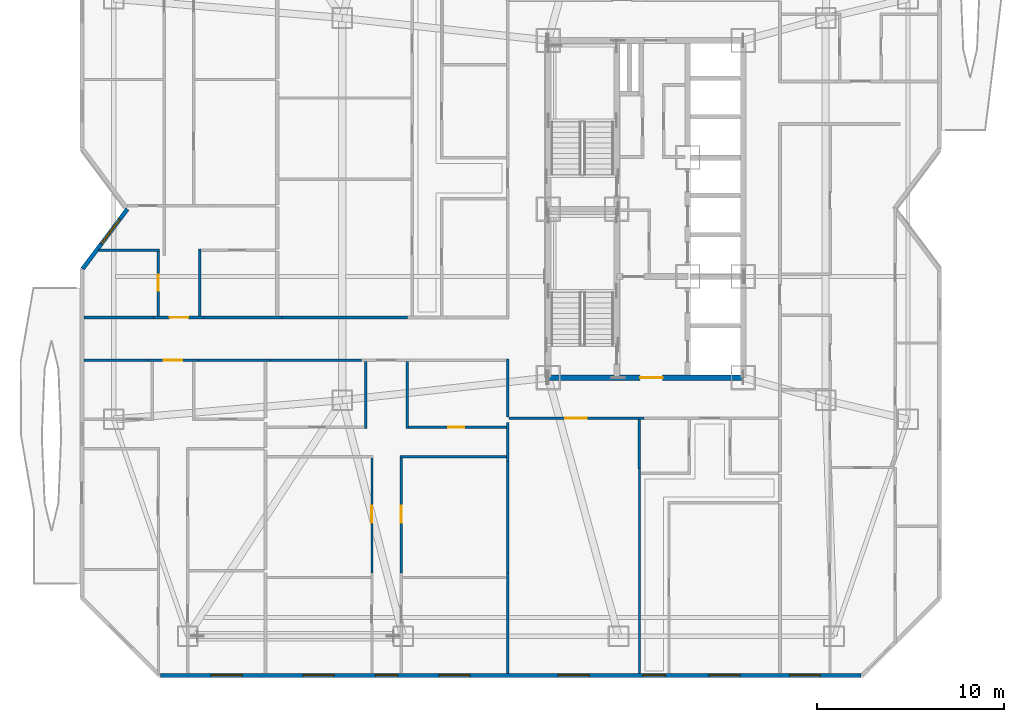
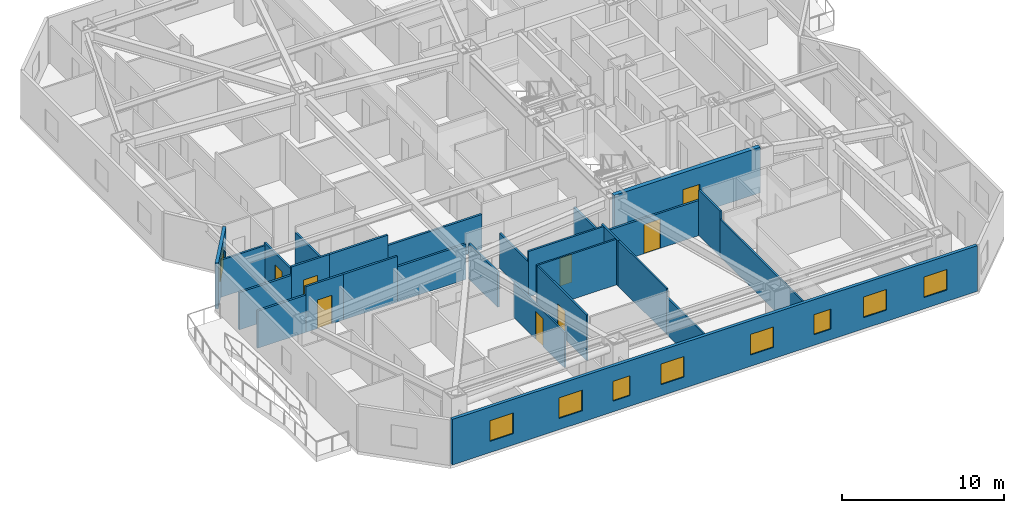
# One storey, part 8 of 17: 27 walls, 9 windows, 8 doors, 17 openings.
"""IFC4 building model written with IfcOpenShell, lengths in metres."""

from ifc_helpers import new_model, si_unit, direction, frame, frame_2d, origin, place, context, subcontext, project, spatial, rectangle, extrude, material, layer, layer_set, type_object, element, fill, save


model = new_model("IFC4")

# Units and contexts
model_context = context("Model", 3, precision=1e-05, world=origin(), true_north=direction((0.0, 1.0)))
body_context = subcontext(model_context, "Body", "Model", "MODEL_VIEW")
ifc_project = project(units=[si_unit("LENGTHUNIT", "METRE"), si_unit("AREAUNIT", "SQUARE_METRE"), si_unit("VOLUMEUNIT", "CUBIC_METRE"), si_unit("PLANEANGLEUNIT", "RADIAN"), si_unit("MASSUNIT", "GRAM", prefix="KILO")], contexts=[model_context])

# Site, building, storey
site_placement = place(None, origin())
site = spatial("IfcSite", under=ifc_project, at=site_placement, CompositionType="ELEMENT")
building_placement = place(site_placement, origin())
building = spatial("IfcBuilding", under=site, at=building_placement, Name="Khamvora Tower", CompositionType="ELEMENT")
storey_placement = place(building_placement, frame((0.0, 0.0, 44.25)))
storey = spatial("IfcBuildingStorey", under=building, at=storey_placement, Name="L10", CompositionType="ELEMENT", Elevation=44.25)

# Wall, opening, door
ifc_material_1 = material(Name="Concrete C50/60", Category="concrete")
ifc_layer_1 = layer(ifc_material_1, 0.300048828125)
ifc_layer_set_1 = layer_set([ifc_layer_1], Name="Concrete C50/60")
wall_type_1 = type_object("IfcWallType", Name="WAL-CORE-300", PredefinedType="SHEAR", material=ifc_layer_set_1)
wall_1_placement = place(storey_placement, frame((29.0, 19.0, 0.0), z_axis=(0.0, 0.0, 1.0), x_axis=(1.0, 0.0, 0.0)))
wall_1 = element("IfcWall", 1, at=wall_1_placement, inside=storey, type_object=wall_type_1, Name="L10 central core south wall", PredefinedType="SHEAR", context=body_context, shape_type="SweptSolid", body=[
    extrude(rectangle(XDim=10.39990234375, YDim=0.300048828125, at=frame_2d((5.199951171875, 0.0))), origin(), (0.0, 0.0, 1.0), 3.429931640625),
])
opening_1_placement = place(wall_1_placement, frame((4.89990234375, 0.0, 0.0)))
opening_1 = element("IfcOpeningElement", 2, at=opening_1_placement, cuts=wall_1, Name="Opening D-CR1", PredefinedType="OPENING", context=body_context, shape_type="SweptSolid", body=[
    extrude(rectangle(XDim=1.199951171875, YDim=2.14990234375, at=frame_2d((0.60009765625, 1.074951171875))), frame((0.0, 0.159912109375, 0.0), z_axis=(0.0, -1.0, 0.0), x_axis=(1.0, 0.0, 0.0)), (0.0, 0.0, 1.0), 0.320068359375),
])
ifc_material_2 = material(Name="Powder-Coated Steel and Hardwood Leaf", Category="steel")
door_type_1 = type_object("IfcDoorType", Name="DOR-CORR-1200", OperationType="NOTDEFINED", PredefinedType="DOOR", material=ifc_material_2)
door_1_placement = place(opening_1_placement, origin())
door_1 = element("IfcDoor", 3, at=door_1_placement, inside=storey, type_object=door_type_1, Name="L10 south core lobby to corridor fire door", OperationType="SINGLE_SWING_RIGHT", OverallHeight=2.14990234375, OverallWidth=1.199951171875, PredefinedType="DOOR", context=body_context, shape_type="SweptSolid", body=[
    extrude(rectangle(XDim=1.199951171875, YDim=2.14990234375, at=frame_2d((0.60009765625, 1.074951171875))), frame((0.0, 0.02490234375, 0.0), z_axis=(0.0, -1.0, 0.0), x_axis=(1.0, 0.0, 0.0)), (0.0, 0.0, 1.0), 0.050048828125),
])
fill(opening_1, door_1)

ifc_material_3 = material(Name="Fire-Rated Drywall and Steel Stud", Category="steel")
ifc_layer_2 = layer(ifc_material_3, 0.14990234375)
ifc_layer_set_2 = layer_set([ifc_layer_2], Name="Fire-Rated Drywall and Steel Stud")
wall_type_2 = type_object("IfcWallType", Name="WAL-CORR-150", PredefinedType="STANDARD", material=ifc_layer_set_2)
wall_2_placement = place(storey_placement, frame((34.114013671875, 16.8349609375, 0.0), z_axis=(0.0, 0.0, 1.0), x_axis=(-1.0, 0.0, 0.0)))
wall_2 = element("IfcWall", 4, at=wall_2_placement, inside=storey, type_object=wall_type_2, Name="L10 interior partition wall 008", PredefinedType="STANDARD", context=body_context, shape_type="SweptSolid", body=[
    extrude(rectangle(XDim=7.214111328125, YDim=0.14990234375, at=frame_2d((3.60693359375, 0.0))), origin(), (0.0, 0.0, 1.0), 2.64697265625),
])
opening_2_placement = place(wall_2_placement, frame((3.052978515625, 0.0, 0.0)))
opening_2 = element("IfcOpeningElement", 5, at=opening_2_placement, cuts=wall_2, Name="Opening D-SC1", PredefinedType="OPENING", context=body_context, shape_type="SweptSolid", body=[
    extrude(rectangle(XDim=1.14990234375, YDim=2.199951171875, at=frame_2d((0.574951171875, 1.10009765625))), frame((0.0, 0.0849609375, 0.0), z_axis=(0.0, -1.0, 0.0), x_axis=(1.0, 0.0, 0.0)), (0.0, 0.0, 1.0), 0.169921875),
])
door_type_2 = type_object("IfcDoorType", Name="DOR-SCHL-1150", OperationType="NOTDEFINED", PredefinedType="DOOR", material=ifc_material_2)
door_2_placement = place(opening_2_placement, origin())
door_2 = element("IfcDoor", 6, at=door_2_placement, inside=storey, type_object=door_type_2, Name="L10 interior door COR-RLIB", OperationType="SINGLE_SWING_LEFT", OverallHeight=2.199951171875, OverallWidth=1.14990234375, PredefinedType="DOOR", context=body_context, shape_type="SweptSolid", body=[
    extrude(rectangle(XDim=1.14990234375, YDim=2.199951171875, at=frame_2d((0.574951171875, 1.10009765625))), frame((0.0, 0.02490234375, 0.0), z_axis=(0.0, -1.0, 0.0), x_axis=(1.0, 0.0, 0.0)), (0.0, 0.0, 1.0), 0.050048828125),
])
fill(opening_2, door_2)

wall_3_placement = place(storey_placement, frame((10.323974609375, 19.93505859375, 0.0), z_axis=(0.0, 0.0, 1.0), x_axis=(-1.0, 0.0, 0.0)))
wall_3 = element("IfcWall", 7, at=wall_3_placement, inside=storey, type_object=wall_type_2, Name="L10 interior partition wall 009", PredefinedType="STANDARD", context=body_context, shape_type="SweptSolid", body=[
    extrude(rectangle(XDim=2.697998046875, YDim=0.14990234375, at=frame_2d((1.34912109375, 0.0))), origin(), (0.0, 0.0, 1.0), 3.429931640625),
])
opening_3_placement = place(wall_3_placement, frame((0.84912109375, 0.0, 0.0)))
opening_3 = element("IfcOpeningElement", 8, at=opening_3_placement, cuts=wall_3, Name="Opening D-U1", PredefinedType="OPENING", context=body_context, shape_type="SweptSolid", body=[
    extrude(rectangle(XDim=1.0, YDim=2.14990234375, at=frame_2d((0.5, 1.074951171875))), frame((0.0, 0.0849609375, 0.0), z_axis=(0.0, -1.0, 0.0), x_axis=(1.0, 0.0, 0.0)), (0.0, 0.0, 1.0), 0.169921875),
])
door_type_3 = type_object("IfcDoorType", Name="DOR-UNIT-1000", OperationType="NOTDEFINED", PredefinedType="DOOR", material=ifc_material_2)
door_3_placement = place(opening_3_placement, origin())
door_3 = element("IfcDoor", 9, at=door_3_placement, inside=storey, type_object=door_type_3, Name="L10 interior door COR-10WAH", OperationType="SINGLE_SWING_RIGHT", OverallHeight=2.14990234375, OverallWidth=1.0, PredefinedType="DOOR", context=body_context, shape_type="SweptSolid", body=[
    extrude(rectangle(XDim=1.0, YDim=2.14990234375, at=frame_2d((0.5, 1.074951171875))), frame((0.0, 0.02490234375, 0.0), z_axis=(0.0, -1.0, 0.0), x_axis=(1.0, 0.0, 0.0)), (0.0, 0.0, 1.0), 0.050048828125),
])
fill(opening_3, door_3)

# Walls
wall_4_placement = place(storey_placement, frame((7.6259765625, 19.93505859375, 0.0), z_axis=(0.0, 0.0, 1.0), x_axis=(-1.0, 0.0, 0.0)))
element("IfcWall", 10, at=wall_4_placement, inside=storey, type_object=wall_type_2, Name="L10 interior partition wall 010", PredefinedType="STANDARD", context=body_context, shape_type="SweptSolid", body=[
    extrude(rectangle(XDim=3.4140625, YDim=0.14990234375, at=frame_2d((1.70703125, 0.0))), origin(), (0.0, 0.0, 1.0), 2.802978515625),
])
wall_5_placement = place(storey_placement, frame((14.154052734375, 19.93505859375, 0.0), z_axis=(0.0, 0.0, 1.0), x_axis=(-1.0, 0.0, 0.0)))
element("IfcWall", 11, at=wall_5_placement, inside=storey, type_object=wall_type_2, Name="L10 interior partition wall 011", PredefinedType="STANDARD", context=body_context, shape_type="SweptSolid", body=[
    extrude(rectangle(XDim=3.830078125, YDim=0.14990234375, at=frame_2d((1.9150390625, 0.0))), origin(), (0.0, 0.0, 1.0), 3.429931640625),
])
wall_6_placement = place(storey_placement, frame((26.8349609375, 16.89990234375, 0.0), z_axis=(0.0, 0.0, 1.0), x_axis=(0.0, 1.0, 0.0)))
element("IfcWall", 12, at=wall_6_placement, inside=storey, type_object=wall_type_2, Name="L10 interior partition wall 013", PredefinedType="STANDARD", context=body_context, shape_type="SweptSolid", body=[
    extrude(rectangle(XDim=3.10009765625, YDim=0.14990234375, at=frame_2d((1.550048828125, 0.0))), origin(), (0.0, 0.0, 1.0), 2.64697265625),
])
wall_7_placement = place(storey_placement, frame((19.02099609375, 19.93505859375, 0.0), z_axis=(0.0, 0.0, 1.0), x_axis=(-1.0, 0.0, 0.0)))
element("IfcWall", 13, at=wall_7_placement, inside=storey, type_object=wall_type_2, Name="L10 interior partition wall 015", PredefinedType="STANDARD", context=body_context, shape_type="SweptSolid", body=[
    extrude(rectangle(XDim=4.866943359375, YDim=0.14990234375, at=frame_2d((2.43359375, 0.0))), origin(), (0.0, 0.0, 1.0), 2.64697265625),
])

# Wall, opening, door
wall_8_placement = place(storey_placement, frame((7.93994140625, 22.215087890625, 0.0), z_axis=(0.0, 0.0, 1.0), x_axis=(1.0, 0.0, 0.0)))
wall_8 = element("IfcWall", 14, at=wall_8_placement, inside=storey, type_object=wall_type_2, Name="L10 interior partition wall 016", PredefinedType="STANDARD", context=body_context, shape_type="SweptSolid", body=[
    extrude(rectangle(XDim=2.697998046875, YDim=0.14990234375, at=frame_2d((1.34912109375, 0.0))), origin(), (0.0, 0.0, 1.0), 3.429931640625),
])
opening_4_placement = place(wall_8_placement, frame((0.84912109375, 0.0, 0.0)))
opening_4 = element("IfcOpeningElement", 15, at=opening_4_placement, cuts=wall_8, Name="Opening D-U1", PredefinedType="OPENING", context=body_context, shape_type="SweptSolid", body=[
    extrude(rectangle(XDim=1.0, YDim=2.14990234375, at=frame_2d((0.5, 1.074951171875))), frame((0.0, 0.0849609375, 0.0), z_axis=(0.0, -1.0, 0.0), x_axis=(1.0, 0.0, 0.0)), (0.0, 0.0, 1.0), 0.169921875),
])
door_4_placement = place(opening_4_placement, origin())
door_4 = element("IfcDoor", 16, at=door_4_placement, inside=storey, type_object=door_type_3, Name="L10 interior door COR-10WC1H", OperationType="SINGLE_SWING_RIGHT", OverallHeight=2.14990234375, OverallWidth=1.0, PredefinedType="DOOR", context=body_context, shape_type="SweptSolid", body=[
    extrude(rectangle(XDim=1.0, YDim=2.14990234375, at=frame_2d((0.5, 1.074951171875))), frame((0.0, 0.02490234375, 0.0), z_axis=(0.0, -1.0, 0.0), x_axis=(1.0, 0.0, 0.0)), (0.0, 0.0, 1.0), 0.050048828125),
])
fill(opening_4, door_4)

# Walls
wall_9_placement = place(storey_placement, frame((4.2119140625, 22.215087890625, 0.0), z_axis=(0.0, 0.0, 1.0), x_axis=(1.0, 0.0, 0.0)))
element("IfcWall", 17, at=wall_9_placement, inside=storey, type_object=wall_type_2, Name="L10 interior partition wall 017", PredefinedType="STANDARD", context=body_context, shape_type="SweptSolid", body=[
    extrude(rectangle(XDim=3.72802734375, YDim=0.14990234375, at=frame_2d((1.864013671875, 0.0))), origin(), (0.0, 0.0, 1.0), 2.802978515625),
])
wall_10_placement = place(storey_placement, frame((10.637939453125, 22.215087890625, 0.0), z_axis=(0.0, 0.0, 1.0), x_axis=(1.0, 0.0, 0.0)))
element("IfcWall", 18, at=wall_10_placement, inside=storey, type_object=wall_type_2, Name="L10 interior partition wall 018", PredefinedType="STANDARD", context=body_context, shape_type="SweptSolid", body=[
    extrude(rectangle(XDim=4.14501953125, YDim=0.14990234375, at=frame_2d((2.072509765625, 0.0))), origin(), (0.0, 0.0, 1.0), 3.429931640625),
])
wall_11_placement = place(storey_placement, frame((14.782958984375, 22.215087890625, 0.0), z_axis=(0.0, 0.0, 1.0), x_axis=(1.0, 0.0, 0.0)))
element("IfcWall", 19, at=wall_11_placement, inside=storey, type_object=wall_type_2, Name="L10 interior partition wall 025", PredefinedType="STANDARD", context=body_context, shape_type="SweptSolid", body=[
    extrude(rectangle(XDim=6.712158203125, YDim=0.14990234375, at=frame_2d((3.35595703125, 0.0))), origin(), (0.0, 0.0, 1.0), 2.64697265625),
])

# Wall, opening, window
ifc_material_4 = material(Name="Precast concrete C40/50", Category="concrete")
ifc_layer_3 = layer(ifc_material_4, 0.219970703125)
ifc_layer_set_3 = layer_set([ifc_layer_3], Name="Precast concrete C40/50")
wall_type_3 = type_object("IfcWallType", Name="WAL-EXT-220", PredefinedType="STANDARD", material=ifc_layer_set_3)
wall_12_placement = place(storey_placement, frame((4.14501953125, 24.80908203125, 0.0), z_axis=(0.0, 0.0, 1.0), x_axis=(0.599823674734, 0.800132213592, 0.0)))
wall_12 = element("IfcWall", 20, at=wall_12_placement, inside=storey, type_object=wall_type_3, Name="L10 exterior facade wall 03.1", PredefinedType="STANDARD", context=body_context, shape_type="SweptSolid", body=[
    extrude(rectangle(XDim=3.988037109375, YDim=0.219970703125, at=frame_2d((1.994140625, 0.0))), origin(), (0.0, 0.0, 1.0), 3.429931640625),
])
opening_5_placement = place(wall_12_placement, frame((1.65087890625, 0.0, 0.85009765625)))
opening_5 = element("IfcOpeningElement", 21, at=opening_5_placement, cuts=wall_12, Name="Opening WN-06", PredefinedType="OPENING", context=body_context, shape_type="SweptSolid", body=[
    extrude(rectangle(XDim=1.64990234375, YDim=1.550048828125, at=frame_2d((0.824951171875, 0.77490234375))), frame((0.0, 0.119873046875, 0.0), z_axis=(0.0, -1.0, 0.0), x_axis=(1.0, 0.0, 0.0)), (0.0, 0.0, 1.0), 0.239990234375),
])
ifc_material_5 = material(Name="Low-E Laminated Double Glazing", Category="glass")
window_type_1 = type_object("IfcWindowType", Name="WIN-VIS-1650x1550", PartitioningType="SINGLE_PANEL", PredefinedType="WINDOW", material=ifc_material_5)
window_1_placement = place(opening_5_placement, origin())
window_1 = element("IfcWindow", 22, at=window_1_placement, inside=storey, type_object=window_type_1, Name="L10 vision window 03.1.01", OverallHeight=1.550048828125, OverallWidth=1.64990234375, PartitioningType="SINGLE_PANEL", PredefinedType="WINDOW", context=body_context, shape_type="SweptSolid", body=[
    extrude(rectangle(XDim=1.64990234375, YDim=1.550048828125, at=frame_2d((0.824951171875, 0.77490234375))), frame((0.0, 0.030029296875, 0.0), z_axis=(0.0, -1.0, 0.0), x_axis=(1.0, 0.0, 0.0)), (0.0, 0.0, 1.0), 0.06005859375),
])
fill(opening_5, window_1)

# Wall, openings, windows
wall_13_placement = place(storey_placement, frame((45.68310546875, 3.110107421875, 0.0), z_axis=(0.0, 0.0, 1.0), x_axis=(-1.0, 0.0, 0.0)))
wall_13 = element("IfcWall", 23, at=wall_13_placement, inside=storey, type_object=wall_type_3, Name="L10 exterior facade wall 14.1", PredefinedType="STANDARD", context=body_context, shape_type="SweptSolid", body=[
    extrude(rectangle(XDim=37.3681640625, YDim=0.219970703125, at=frame_2d((18.68408203125, 0.0))), origin(), (0.0, 0.0, 1.0), 3.429931640625),
])
opening_6_placement = place(wall_13_placement, frame((14.508056640625, 0.0, 0.85009765625)))
opening_6 = element("IfcOpeningElement", 24, at=opening_6_placement, cuts=wall_13, Name="Opening WN-06", PredefinedType="OPENING", context=body_context, shape_type="SweptSolid", body=[
    extrude(rectangle(XDim=1.64990234375, YDim=1.550048828125, at=frame_2d((0.824951171875, 0.77490234375))), frame((0.0, 0.119873046875, 0.0), z_axis=(0.0, -1.0, 0.0), x_axis=(1.0, 0.0, 0.0)), (0.0, 0.0, 1.0), 0.239990234375),
])
opening_7_placement = place(wall_13_placement, frame((33.02490234375, 0.0, 0.85009765625)))
opening_7 = element("IfcOpeningElement", 25, at=opening_7_placement, cuts=wall_13, Name="Opening WN-06", PredefinedType="OPENING", context=body_context, shape_type="SweptSolid", body=[
    extrude(rectangle(XDim=1.64990234375, YDim=1.550048828125, at=frame_2d((0.824951171875, 0.77490234375))), frame((0.0, 0.119873046875, 0.0), z_axis=(0.0, -1.0, 0.0), x_axis=(1.0, 0.0, 0.0)), (0.0, 0.0, 1.0), 0.239990234375),
])
opening_8_placement = place(wall_13_placement, frame((24.712890625, 0.0, 0.800048828125)))
opening_8 = element("IfcOpeningElement", 26, at=opening_8_placement, cuts=wall_13, Name="Opening WN-03", PredefinedType="OPENING", context=body_context, shape_type="SweptSolid", body=[
    extrude(rectangle(XDim=1.199951171875, YDim=1.5, at=frame_2d((0.60009765625, 0.75))), frame((0.0, 0.119873046875, 0.0), z_axis=(0.0, -1.0, 0.0), x_axis=(1.0, 0.0, 0.0)), (0.0, 0.0, 1.0), 0.239990234375),
])
opening_9_placement = place(wall_13_placement, frame((28.113037109375, 0.0, 0.85009765625)))
opening_9 = element("IfcOpeningElement", 27, at=opening_9_placement, cuts=wall_13, Name="Opening WN-06", PredefinedType="OPENING", context=body_context, shape_type="SweptSolid", body=[
    extrude(rectangle(XDim=1.64990234375, YDim=1.550048828125, at=frame_2d((0.824951171875, 0.77490234375))), frame((0.0, 0.119873046875, 0.0), z_axis=(0.0, -1.0, 0.0), x_axis=(1.0, 0.0, 0.0)), (0.0, 0.0, 1.0), 0.239990234375),
])
opening_10_placement = place(wall_13_placement, frame((20.863037109375, 0.0, 0.85009765625)))
opening_10 = element("IfcOpeningElement", 28, at=opening_10_placement, cuts=wall_13, Name="Opening WN-06", PredefinedType="OPENING", context=body_context, shape_type="SweptSolid", body=[
    extrude(rectangle(XDim=1.64990234375, YDim=1.550048828125, at=frame_2d((0.824951171875, 0.77490234375))), frame((0.0, 0.119873046875, 0.0), z_axis=(0.0, -1.0, 0.0), x_axis=(1.0, 0.0, 0.0)), (0.0, 0.0, 1.0), 0.239990234375),
])
opening_11_placement = place(wall_13_placement, frame((10.427978515625, 0.0, 0.800048828125)))
opening_11 = element("IfcOpeningElement", 29, at=opening_11_placement, cuts=wall_13, Name="Opening WN-03", PredefinedType="OPENING", context=body_context, shape_type="SweptSolid", body=[
    extrude(rectangle(XDim=1.199951171875, YDim=1.5, at=frame_2d((0.60009765625, 0.75))), frame((0.0, 0.119873046875, 0.0), z_axis=(0.0, -1.0, 0.0), x_axis=(1.0, 0.0, 0.0)), (0.0, 0.0, 1.0), 0.239990234375),
])
opening_12_placement = place(wall_13_placement, frame((6.452880859375, 0.0, 0.85009765625)))
opening_12 = element("IfcOpeningElement", 30, at=opening_12_placement, cuts=wall_13, Name="Opening WN-06", PredefinedType="OPENING", context=body_context, shape_type="SweptSolid", body=[
    extrude(rectangle(XDim=1.64990234375, YDim=1.550048828125, at=frame_2d((0.824951171875, 0.77490234375))), frame((0.0, 0.119873046875, 0.0), z_axis=(0.0, -1.0, 0.0), x_axis=(1.0, 0.0, 0.0)), (0.0, 0.0, 1.0), 0.239990234375),
])
opening_13_placement = place(wall_13_placement, frame((2.156982421875, 0.0, 0.85009765625)))
opening_13 = element("IfcOpeningElement", 31, at=opening_13_placement, cuts=wall_13, Name="Opening WN-06", PredefinedType="OPENING", context=body_context, shape_type="SweptSolid", body=[
    extrude(rectangle(XDim=1.64990234375, YDim=1.550048828125, at=frame_2d((0.824951171875, 0.77490234375))), frame((0.0, 0.119873046875, 0.0), z_axis=(0.0, -1.0, 0.0), x_axis=(1.0, 0.0, 0.0)), (0.0, 0.0, 1.0), 0.239990234375),
])
window_type_2 = type_object("IfcWindowType", Name="WIN-VIS-1200x1500", PartitioningType="SINGLE_PANEL", PredefinedType="WINDOW", material=ifc_material_5)
window_2_placement = place(opening_8_placement, origin())
window_2 = element("IfcWindow", 32, at=window_2_placement, inside=storey, type_object=window_type_2, Name="L10 vision window 14.1.03", OverallHeight=1.5, OverallWidth=1.199951171875, PartitioningType="SINGLE_PANEL", PredefinedType="WINDOW", context=body_context, shape_type="SweptSolid", body=[
    extrude(rectangle(XDim=1.199951171875, YDim=1.5, at=frame_2d((0.60009765625, 0.75))), frame((0.0, 0.030029296875, 0.0), z_axis=(0.0, -1.0, 0.0), x_axis=(1.0, 0.0, 0.0)), (0.0, 0.0, 1.0), 0.06005859375),
])
fill(opening_8, window_2)
window_3_placement = place(opening_11_placement, origin())
window_3 = element("IfcWindow", 33, at=window_3_placement, inside=storey, type_object=window_type_2, Name="L10 vision window 14.1.06", OverallHeight=1.5, OverallWidth=1.199951171875, PartitioningType="SINGLE_PANEL", PredefinedType="WINDOW", context=body_context, shape_type="SweptSolid", body=[
    extrude(rectangle(XDim=1.199951171875, YDim=1.5, at=frame_2d((0.60009765625, 0.75))), frame((0.0, 0.030029296875, 0.0), z_axis=(0.0, -1.0, 0.0), x_axis=(1.0, 0.0, 0.0)), (0.0, 0.0, 1.0), 0.06005859375),
])
fill(opening_11, window_3)
window_4_placement = place(opening_6_placement, origin())
window_4 = element("IfcWindow", 34, at=window_4_placement, inside=storey, type_object=window_type_1, Name="L10 vision window 14.1.01", OverallHeight=1.550048828125, OverallWidth=1.64990234375, PartitioningType="SINGLE_PANEL", PredefinedType="WINDOW", context=body_context, shape_type="SweptSolid", body=[
    extrude(rectangle(XDim=1.64990234375, YDim=1.550048828125, at=frame_2d((0.824951171875, 0.77490234375))), frame((0.0, 0.030029296875, 0.0), z_axis=(0.0, -1.0, 0.0), x_axis=(1.0, 0.0, 0.0)), (0.0, 0.0, 1.0), 0.06005859375),
])
fill(opening_6, window_4)
window_5_placement = place(opening_7_placement, origin())
window_5 = element("IfcWindow", 35, at=window_5_placement, inside=storey, type_object=window_type_1, Name="L10 vision window 14.1.02", OverallHeight=1.550048828125, OverallWidth=1.64990234375, PartitioningType="SINGLE_PANEL", PredefinedType="WINDOW", context=body_context, shape_type="SweptSolid", body=[
    extrude(rectangle(XDim=1.64990234375, YDim=1.550048828125, at=frame_2d((0.824951171875, 0.77490234375))), frame((0.0, 0.030029296875, 0.0), z_axis=(0.0, -1.0, 0.0), x_axis=(1.0, 0.0, 0.0)), (0.0, 0.0, 1.0), 0.06005859375),
])
fill(opening_7, window_5)
window_6_placement = place(opening_9_placement, origin())
window_6 = element("IfcWindow", 36, at=window_6_placement, inside=storey, type_object=window_type_1, Name="L10 vision window 14.1.04", OverallHeight=1.550048828125, OverallWidth=1.64990234375, PartitioningType="SINGLE_PANEL", PredefinedType="WINDOW", context=body_context, shape_type="SweptSolid", body=[
    extrude(rectangle(XDim=1.64990234375, YDim=1.550048828125, at=frame_2d((0.824951171875, 0.77490234375))), frame((0.0, 0.030029296875, 0.0), z_axis=(0.0, -1.0, 0.0), x_axis=(1.0, 0.0, 0.0)), (0.0, 0.0, 1.0), 0.06005859375),
])
fill(opening_9, window_6)
window_7_placement = place(opening_10_placement, origin())
window_7 = element("IfcWindow", 37, at=window_7_placement, inside=storey, type_object=window_type_1, Name="L10 vision window 14.1.05", OverallHeight=1.550048828125, OverallWidth=1.64990234375, PartitioningType="SINGLE_PANEL", PredefinedType="WINDOW", context=body_context, shape_type="SweptSolid", body=[
    extrude(rectangle(XDim=1.64990234375, YDim=1.550048828125, at=frame_2d((0.824951171875, 0.77490234375))), frame((0.0, 0.030029296875, 0.0), z_axis=(0.0, -1.0, 0.0), x_axis=(1.0, 0.0, 0.0)), (0.0, 0.0, 1.0), 0.06005859375),
])
fill(opening_10, window_7)
window_8_placement = place(opening_12_placement, origin())
window_8 = element("IfcWindow", 38, at=window_8_placement, inside=storey, type_object=window_type_1, Name="L10 vision window 14.1.07", OverallHeight=1.550048828125, OverallWidth=1.64990234375, PartitioningType="SINGLE_PANEL", PredefinedType="WINDOW", context=body_context, shape_type="SweptSolid", body=[
    extrude(rectangle(XDim=1.64990234375, YDim=1.550048828125, at=frame_2d((0.824951171875, 0.77490234375))), frame((0.0, 0.030029296875, 0.0), z_axis=(0.0, -1.0, 0.0), x_axis=(1.0, 0.0, 0.0)), (0.0, 0.0, 1.0), 0.06005859375),
])
fill(opening_12, window_8)
window_9_placement = place(opening_13_placement, origin())
window_9 = element("IfcWindow", 39, at=window_9_placement, inside=storey, type_object=window_type_1, Name="L10 vision window 14.1.08", OverallHeight=1.550048828125, OverallWidth=1.64990234375, PartitioningType="SINGLE_PANEL", PredefinedType="WINDOW", context=body_context, shape_type="SweptSolid", body=[
    extrude(rectangle(XDim=1.64990234375, YDim=1.550048828125, at=frame_2d((0.824951171875, 0.77490234375))), frame((0.0, 0.030029296875, 0.0), z_axis=(0.0, -1.0, 0.0), x_axis=(1.0, 0.0, 0.0)), (0.0, 0.0, 1.0), 0.06005859375),
])
fill(opening_13, window_9)

# Walls
ifc_material_6 = material(Name="Gypsum Plasterboard Partition", Category="gypsum")
ifc_layer_4 = layer(ifc_material_6, 0.1201171875)
ifc_layer_set_4 = layer_set([ifc_layer_4], Name="Gypsum Plasterboard Partition")
wall_type_4 = type_object("IfcWallType", Name="WAL-PART-120", PredefinedType="PARTITIONING", material=ifc_layer_set_4)
wall_14_placement = place(storey_placement, frame((26.8349609375, 14.52587890625, 0.0), z_axis=(0.0, 0.0, 1.0), x_axis=(0.0, 1.0, 0.0)))
element("IfcWall", 40, at=wall_14_placement, inside=storey, type_object=wall_type_4, Name="L10 interior partition wall 043", PredefinedType="PARTITIONING", context=body_context, shape_type="SweptSolid", body=[
    extrude(rectangle(XDim=2.078125, YDim=0.1201171875, at=frame_2d((1.0390625, 0.0))), origin(), (0.0, 0.0, 1.0), 3.429931640625),
])
wall_15_placement = place(storey_placement, frame((26.8349609375, 3.2119140625, 0.0), z_axis=(0.0, 0.0, 1.0), x_axis=(0.0, 1.0, 0.0)))
element("IfcWall", 41, at=wall_15_placement, inside=storey, type_object=wall_type_4, Name="L10 interior partition wall 044", PredefinedType="PARTITIONING", context=body_context, shape_type="SweptSolid", body=[
    extrude(rectangle(XDim=5.3720703125, YDim=0.1201171875, at=frame_2d((2.68603515625, 0.0))), origin(), (0.0, 0.0, 1.0), 2.802978515625),
])
wall_16_placement = place(storey_placement, frame((26.8349609375, 8.583984375, 0.0), z_axis=(0.0, 0.0, 1.0), x_axis=(0.0, 1.0, 0.0)))
element("IfcWall", 42, at=wall_16_placement, inside=storey, type_object=wall_type_4, Name="L10 interior partition wall 045", PredefinedType="PARTITIONING", context=body_context, shape_type="SweptSolid", body=[
    extrude(rectangle(XDim=5.94189453125, YDim=0.1201171875, at=frame_2d((2.970947265625, 0.0))), origin(), (0.0, 0.0, 1.0), 3.429931640625),
])
wall_17_placement = place(storey_placement, frame((33.864990234375, 14.155029296875, 0.0), z_axis=(0.0, 0.0, 1.0), x_axis=(0.0, -1.0, 0.0)))
element("IfcWall", 43, at=wall_17_placement, inside=storey, type_object=wall_type_4, Name="L10 interior partition wall 046", PredefinedType="PARTITIONING", context=body_context, shape_type="SweptSolid", body=[
    extrude(rectangle(XDim=10.943115234375, YDim=0.1201171875, at=frame_2d((5.4716796875, 0.0))), origin(), (0.0, 0.0, 1.0), 2.802978515625),
])

# Wall, opening, door
wall_18_placement = place(storey_placement, frame((19.5849609375, 8.583984375, 0.0), z_axis=(0.0, 0.0, 1.0), x_axis=(0.0, 1.0, 0.0)))
wall_18 = element("IfcWall", 44, at=wall_18_placement, inside=storey, type_object=wall_type_4, Name="L10 interior partition wall 070", PredefinedType="PARTITIONING", context=body_context, shape_type="SweptSolid", body=[
    extrude(rectangle(XDim=6.256103515625, YDim=0.1201171875, at=frame_2d((3.1279296875, 0.0))), origin(), (0.0, 0.0, 1.0), 2.64697265625),
])
opening_14_placement = place(wall_18_placement, frame((2.677978515625, 0.0, 0.0)))
opening_14 = element("IfcOpeningElement", 45, at=opening_14_placement, cuts=wall_18, Name="Opening D-RM1", PredefinedType="OPENING", context=body_context, shape_type="SweptSolid", body=[
    extrude(rectangle(XDim=0.89990234375, YDim=2.10009765625, at=frame_2d((0.449951171875, 1.050048828125))), frame((0.0, 0.070068359375, 0.0), z_axis=(0.0, -1.0, 0.0), x_axis=(1.0, 0.0, 0.0)), (0.0, 0.0, 1.0), 0.14013671875),
])
door_type_4 = type_object("IfcDoorType", Name="DOR-ROOM-900", OperationType="NOTDEFINED", PredefinedType="DOOR", material=ifc_material_2)
door_5_placement = place(opening_14_placement, origin())
door_5 = element("IfcDoor", 46, at=door_5_placement, inside=storey, type_object=door_type_4, Name="L10 interior door 10WBH-10WBR2", OperationType="SINGLE_SWING_RIGHT", OverallHeight=2.10009765625, OverallWidth=0.89990234375, PredefinedType="DOOR", context=body_context, shape_type="SweptSolid", body=[
    extrude(rectangle(XDim=0.89990234375, YDim=2.10009765625, at=frame_2d((0.449951171875, 1.050048828125))), frame((0.0, 0.02490234375, 0.0), z_axis=(0.0, -1.0, 0.0), x_axis=(1.0, 0.0, 0.0)), (0.0, 0.0, 1.0), 0.050048828125),
])
fill(opening_14, door_5)

wall_19_placement = place(storey_placement, frame((21.155029296875, 14.840087890625, 0.0), z_axis=(0.0, 0.0, 1.0), x_axis=(0.0, -1.0, 0.0)))
wall_19 = element("IfcWall", 47, at=wall_19_placement, inside=storey, type_object=wall_type_4, Name="L10 interior partition wall 073", PredefinedType="PARTITIONING", context=body_context, shape_type="SweptSolid", body=[
    extrude(rectangle(XDim=6.256103515625, YDim=0.1201171875, at=frame_2d((3.1279296875, 0.0))), origin(), (0.0, 0.0, 1.0), 3.429931640625),
])
opening_15_placement = place(wall_19_placement, frame((2.677978515625, 0.0, 0.0)))
opening_15 = element("IfcOpeningElement", 48, at=opening_15_placement, cuts=wall_19, Name="Opening D-RM1", PredefinedType="OPENING", context=body_context, shape_type="SweptSolid", body=[
    extrude(rectangle(XDim=0.89990234375, YDim=2.10009765625, at=frame_2d((0.449951171875, 1.050048828125))), frame((0.0, 0.070068359375, 0.0), z_axis=(0.0, -1.0, 0.0), x_axis=(1.0, 0.0, 0.0)), (0.0, 0.0, 1.0), 0.14013671875),
])
door_6_placement = place(opening_15_placement, origin())
door_6 = element("IfcDoor", 49, at=door_6_placement, inside=storey, type_object=door_type_4, Name="L10 interior door 10WBH-10WBR4", OperationType="SINGLE_SWING_LEFT", OverallHeight=2.10009765625, OverallWidth=0.89990234375, PredefinedType="DOOR", context=body_context, shape_type="SweptSolid", body=[
    extrude(rectangle(XDim=0.89990234375, YDim=2.10009765625, at=frame_2d((0.449951171875, 1.050048828125))), frame((0.0, 0.02490234375, 0.0), z_axis=(0.0, -1.0, 0.0), x_axis=(1.0, 0.0, 0.0)), (0.0, 0.0, 1.0), 0.050048828125),
])
fill(opening_15, door_6)

# Walls
wall_20_placement = place(storey_placement, frame((26.781005859375, 14.77490234375, 0.0), z_axis=(0.0, 0.0, 1.0), x_axis=(-1.0, 0.0, 0.0)))
element("IfcWall", 50, at=wall_20_placement, inside=storey, type_object=wall_type_4, Name="L10 interior partition wall 074", PredefinedType="PARTITIONING", context=body_context, shape_type="SweptSolid", body=[
    extrude(rectangle(XDim=5.69091796875, YDim=0.1201171875, at=frame_2d((2.845458984375, 0.0))), origin(), (0.0, 0.0, 1.0), 3.429931640625),
])
ifc_material_7 = material(Name="Moisture-Resistant Plasterboard Partition", Category="gypsum")
ifc_layer_5 = layer(ifc_material_7, 0.135009765625)
ifc_layer_set_5 = layer_set([ifc_layer_5], Name="Moisture-Resistant Plasterboard Partition")
wall_type_5 = type_object("IfcWallType", Name="WAL-WET-135", PredefinedType="PARTITIONING", material=ifc_layer_set_5)
wall_21_placement = place(storey_placement, frame((33.864990234375, 16.77001953125, 0.0), z_axis=(0.0, 0.0, 1.0), x_axis=(0.0, -1.0, 0.0)))
element("IfcWall", 51, at=wall_21_placement, inside=storey, type_object=wall_type_5, Name="L10 interior partition wall 047", PredefinedType="PARTITIONING", context=body_context, shape_type="SweptSolid", body=[
    extrude(rectangle(XDim=2.614990234375, YDim=0.135009765625, at=frame_2d((1.3076171875, 0.0))), origin(), (0.0, 0.0, 1.0), 3.429931640625),
])
wall_22_placement = place(storey_placement, frame((21.469970703125, 19.867919921875, 0.0), z_axis=(0.0, 0.0, 1.0), x_axis=(0.0, -1.0, 0.0)))
element("IfcWall", 52, at=wall_22_placement, inside=storey, type_object=wall_type_5, Name="L10 interior partition wall 065", PredefinedType="PARTITIONING", context=body_context, shape_type="SweptSolid", body=[
    extrude(rectangle(XDim=3.577880859375, YDim=0.135009765625, at=frame_2d((1.7890625, 0.0))), origin(), (0.0, 0.0, 1.0), 2.64697265625),
])

# Wall, opening, door
wall_23_placement = place(storey_placement, frame((21.405029296875, 16.35498046875, 0.0), z_axis=(0.0, 0.0, 1.0), x_axis=(1.0, 0.0, 0.0)))
wall_23 = element("IfcWall", 53, at=wall_23_placement, inside=storey, type_object=wall_type_5, Name="L10 interior partition wall 066", PredefinedType="PARTITIONING", context=body_context, shape_type="SweptSolid", body=[
    extrude(rectangle(XDim=5.3759765625, YDim=0.135009765625, at=frame_2d((2.68798828125, 0.0))), origin(), (0.0, 0.0, 1.0), 3.429931640625),
])
opening_16_placement = place(wall_23_placement, frame((2.262939453125, 0.0, 0.0)))
opening_16 = element("IfcOpeningElement", 54, at=opening_16_placement, cuts=wall_23, Name="Opening D-WC1", PredefinedType="OPENING", context=body_context, shape_type="SweptSolid", body=[
    extrude(rectangle(XDim=0.85009765625, YDim=2.10009765625, at=frame_2d((0.425048828125, 1.050048828125))), frame((0.0, 0.077392578125, 0.0), z_axis=(0.0, -1.0, 0.0), x_axis=(1.0, 0.0, 0.0)), (0.0, 0.0, 1.0), 0.155029296875),
])
door_type_5 = type_object("IfcDoorType", Name="DOR-WET-850", OperationType="NOTDEFINED", PredefinedType="DOOR", material=ifc_material_2)
door_7_placement = place(opening_16_placement, origin())
door_7 = element("IfcDoor", 55, at=door_7_placement, inside=storey, type_object=door_type_5, Name="L10 interior door 10WBH-10WBB", OperationType="SINGLE_SWING_LEFT", OverallHeight=2.10009765625, OverallWidth=0.85009765625, PredefinedType="DOOR", context=body_context, shape_type="SweptSolid", body=[
    extrude(rectangle(XDim=0.85009765625, YDim=2.10009765625, at=frame_2d((0.425048828125, 1.050048828125))), frame((0.0, 0.02490234375, 0.0), z_axis=(0.0, -1.0, 0.0), x_axis=(1.0, 0.0, 0.0)), (0.0, 0.0, 1.0), 0.050048828125),
])
fill(opening_16, door_7)

# Wall
wall_24_placement = place(storey_placement, frame((19.27001953125, 16.2900390625, 0.0), z_axis=(0.0, 0.0, 1.0), x_axis=(0.0, 1.0, 0.0)))
element("IfcWall", 56, at=wall_24_placement, inside=storey, type_object=wall_type_5, Name="L10 interior partition wall 068", PredefinedType="PARTITIONING", context=body_context, shape_type="SweptSolid", body=[
    extrude(rectangle(XDim=3.577880859375, YDim=0.135009765625, at=frame_2d((1.7890625, 0.0))), origin(), (0.0, 0.0, 1.0), 2.64697265625),
])

# Wall, opening, door
wall_25_placement = place(storey_placement, frame((8.18896484375, 22.280029296875, 0.0), z_axis=(0.0, 0.0, 1.0), x_axis=(0.0, 1.0, 0.0)))
wall_25 = element("IfcWall", 57, at=wall_25_placement, inside=storey, type_object=wall_type_5, Name="L10 interior partition wall 077", PredefinedType="PARTITIONING", context=body_context, shape_type="SweptSolid", body=[
    extrude(rectangle(XDim=3.580078125, YDim=0.135009765625, at=frame_2d((1.7900390625, 0.0))), origin(), (0.0, 0.0, 1.0), 2.95703125),
])
opening_17_placement = place(wall_25_placement, frame((1.364990234375, 0.0, 0.0)))
opening_17 = element("IfcOpeningElement", 58, at=opening_17_placement, cuts=wall_25, Name="Opening D-WC1", PredefinedType="OPENING", context=body_context, shape_type="SweptSolid", body=[
    extrude(rectangle(XDim=0.85009765625, YDim=2.10009765625, at=frame_2d((0.425048828125, 1.050048828125))), frame((0.0, 0.077392578125, 0.0), z_axis=(0.0, -1.0, 0.0), x_axis=(1.0, 0.0, 0.0)), (0.0, 0.0, 1.0), 0.155029296875),
])
door_8_placement = place(opening_17_placement, origin())
door_8 = element("IfcDoor", 59, at=door_8_placement, inside=storey, type_object=door_type_5, Name="L10 interior door 10WC1H-10WC1B", OperationType="SINGLE_SWING_RIGHT", OverallHeight=2.10009765625, OverallWidth=0.85009765625, PredefinedType="DOOR", context=body_context, shape_type="SweptSolid", body=[
    extrude(rectangle(XDim=0.85009765625, YDim=2.10009765625, at=frame_2d((0.425048828125, 1.050048828125))), frame((0.0, 0.02490234375, 0.0), z_axis=(0.0, -1.0, 0.0), x_axis=(1.0, 0.0, 0.0)), (0.0, 0.0, 1.0), 0.050048828125),
])
fill(opening_17, door_8)

# Walls
wall_26_placement = place(storey_placement, frame((8.25390625, 25.794921875, 0.0), z_axis=(0.0, 0.0, 1.0), x_axis=(-1.0, 0.0, 0.0)))
element("IfcWall", 60, at=wall_26_placement, inside=storey, type_object=wall_type_5, Name="L10 interior partition wall 078", PredefinedType="PARTITIONING", context=body_context, shape_type="SweptSolid", body=[
    extrude(rectangle(XDim=3.2578125, YDim=0.135009765625, at=frame_2d((1.62890625, 0.0))), origin(), (0.0, 0.0, 1.0), 2.802978515625),
])
wall_27_placement = place(storey_placement, frame((10.388916015625, 25.860107421875, 0.0), z_axis=(0.0, 0.0, 1.0), x_axis=(0.0, -1.0, 0.0)))
element("IfcWall", 61, at=wall_27_placement, inside=storey, type_object=wall_type_5, Name="L10 interior partition wall 080", PredefinedType="PARTITIONING", context=body_context, shape_type="SweptSolid", body=[
    extrude(rectangle(XDim=3.580078125, YDim=0.135009765625, at=frame_2d((1.7900390625, 0.0))), origin(), (0.0, 0.0, 1.0), 2.95703125),
])

save(model, "model.ifc")
